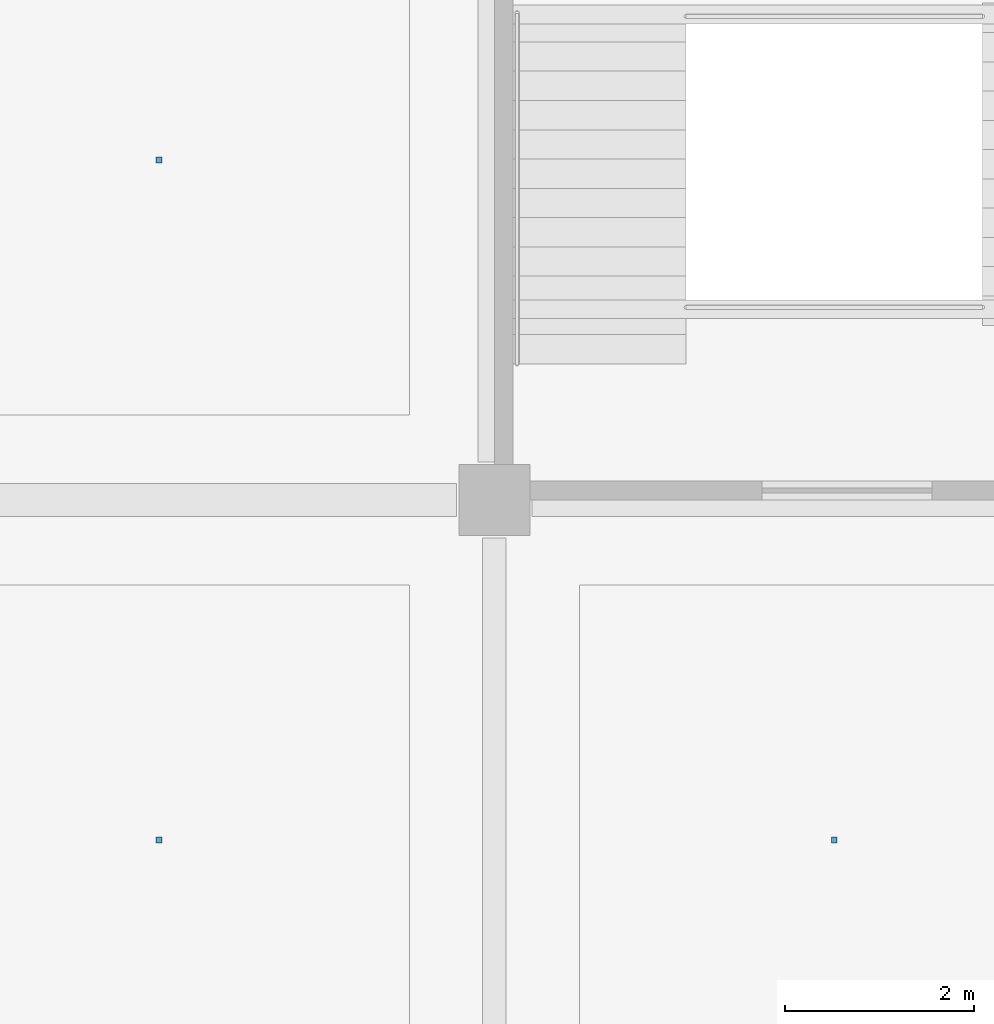
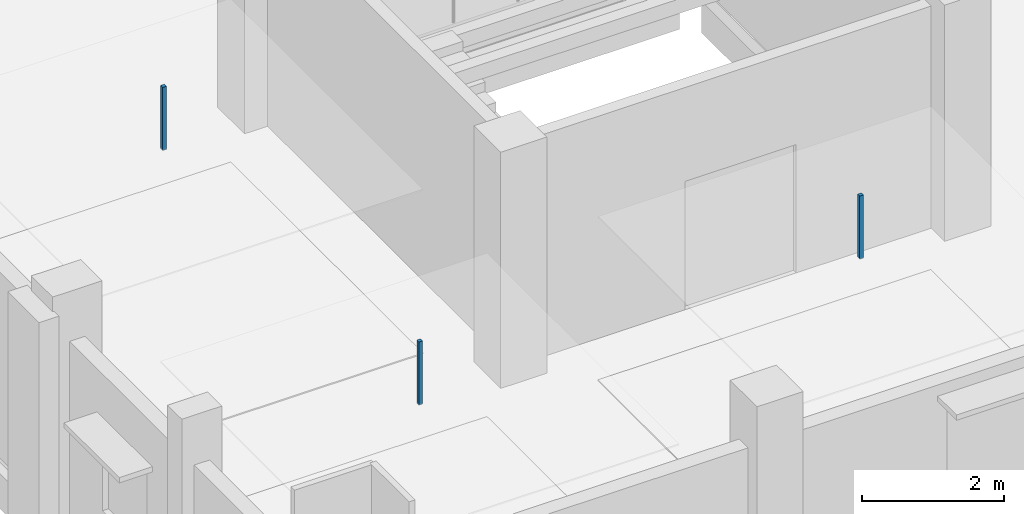
# One storey, part 75 of 91: 3 discrete accessories.
"""IFC4 building model written with IfcOpenShell, lengths in metres."""

import ifcopenshell
import ifcopenshell.guid

model = None  # the IFC model being written
_history = None  # IfcOwnerHistory: only IFC2X3 demands one
_inside = {}  # id of a spatial element -> (the spatial element, [elements in it])
_under = {}  # id of a project, library or spatial element -> (it, [spatial elements below it])
_declared = {}  # id of a project -> (the project, [libraries it declares])
_typed = {}  # id of a type object -> (the type object, [elements of that type])
_made_of = {}  # id of a material, layer set ... -> (it, [elements and type objects made of it])


def new_model(schema):
    """Start an empty IFC model of exactly this schema.

    Asked for "IFC4X3", IfcOpenShell would pick the latest addendum, in which some entities
    have other attributes; the version numbers below select the first issue.
    IFC2X3 requires an IfcOwnerHistory on every rooted entity: one is made here for all.
    """
    global model, _history
    if schema == "IFC4X3":
        model = ifcopenshell.file(schema_version=(4, 3, 0, 0))
    else:
        model = ifcopenshell.file(schema=schema)
    _inside.clear()
    _under.clear()
    _declared.clear()
    _typed.clear()
    _made_of.clear()
    _history = None
    if model.schema == "IFC2X3":
        org = make("IfcOrganization", Name="unknown")
        user = make(
            "IfcPersonAndOrganization",
            ThePerson=make("IfcPerson", FamilyName="unknown"),
            TheOrganization=org,
        )
        app = make(
            "IfcApplication",
            ApplicationDeveloper=org,
            Version="unknown",
            ApplicationFullName="unknown",
            ApplicationIdentifier="unknown",
        )
        _history = make(
            "IfcOwnerHistory",
            OwningUser=user,
            OwningApplication=app,
            ChangeAction="ADDED",
            CreationDate=0,
        )
    return model


def make(cls, **values):
    """One entity of the class cls with the attributes given. An attribute that is None is left unset."""
    return model.create_entity(
        cls, **{name: value for name, value in values.items() if value is not None}
    )


def rooted(cls, **values):
    """An entity with a GlobalId (a new one), such as an element, a storey or a relation."""
    return make(cls, GlobalId=ifcopenshell.guid.new(), OwnerHistory=_history, **values)


def si_unit(unit_type, name, prefix=None):
    """IfcSIUnit, for example si_unit("LENGTHUNIT", "METRE", prefix="MILLI")."""
    return make("IfcSIUnit", UnitType=unit_type, Prefix=prefix, Name=name)


def assignment(units):
    """IfcUnitAssignment: the units of a project."""
    return None if units is None else make("IfcUnitAssignment", Units=units)


def point(xyz):
    """IfcCartesianPoint."""
    return None if xyz is None else make("IfcCartesianPoint", Coordinates=xyz)


def direction(xyz):
    """IfcDirection."""
    return None if xyz is None else make("IfcDirection", DirectionRatios=xyz)


def frame(location, z_axis=None, x_axis=None):
    """IfcAxis2Placement3D, a coordinate frame: its origin and axes. An axis left out is left unset."""
    return make(
        "IfcAxis2Placement3D",
        Location=point(location),
        Axis=direction(z_axis),
        RefDirection=direction(x_axis),
    )


def frame_2d(location, x_axis=None):
    """IfcAxis2Placement2D, a coordinate frame in the plane: its origin and x axis."""
    return make(
        "IfcAxis2Placement2D", Location=point(location), RefDirection=direction(x_axis)
    )


def origin():
    """The frame at (0, 0, 0) with its axes left unset."""
    return frame((0.0, 0.0, 0.0))


def origin_2d():
    """The frame at (0, 0) in the plane with its x axis left unset."""
    return frame_2d((0.0, 0.0))


def place(relative_to, where):
    """IfcLocalPlacement: puts the frame where relative to a parent placement (None: the world)."""
    return make(
        "IfcLocalPlacement", PlacementRelTo=relative_to, RelativePlacement=where
    )


def context(
    kind, dimensions, precision=None, world=None, true_north=None, identifier=None
):
    """IfcGeometricRepresentationContext, for example the 3D "Model" context."""
    return make(
        "IfcGeometricRepresentationContext",
        ContextIdentifier=identifier,
        ContextType=kind,
        CoordinateSpaceDimension=dimensions,
        Precision=precision,
        WorldCoordinateSystem=world,
        TrueNorth=true_north,
    )


def subcontext(parent, identifier, kind, view, scale=None):
    """IfcGeometricRepresentationSubContext, for example "Body" below "Model"."""
    return make(
        "IfcGeometricRepresentationSubContext",
        ContextIdentifier=identifier,
        ContextType=kind,
        ParentContext=parent,
        TargetScale=scale,
        TargetView=view,
    )


def project(units=None, contexts=None):
    """IfcProject with its units and contexts."""
    return rooted(
        "IfcProject",
        Name="project",
        RepresentationContexts=contexts,
        UnitsInContext=assignment(units),
    )


def spatial(cls, under=None, at=None, **own):
    """A site, building, storey or space (cls), placed at a placement, below another one or the project."""
    s = rooted(cls, ObjectPlacement=at, **own)
    if under is not None:
        _under.setdefault(under.id(), (under, []))[1].append(s)
    return s


def profile(cls, at=None, kind="AREA", **sizes):
    """A parametric profile (cls). Its sizes go by their IFC names, for example OverallWidth=200.0."""
    return make(cls, ProfileType=kind, Position=at, **sizes)


def rectangle(**sizes):
    """IfcRectangleProfileDef."""
    return profile("IfcRectangleProfileDef", **sizes)


def extrude(swept, where, along, depth):
    """IfcExtrudedAreaSolid: the profile swept, set in the frame where, extruded along a direction by depth."""
    return make(
        "IfcExtrudedAreaSolid",
        SweptArea=swept,
        Position=where,
        ExtrudedDirection=direction(along),
        Depth=depth,
    )


def shape(context_of_items, identifier, shape_type, items):
    """IfcShapeRepresentation: the items that make up one representation, for example the "Body"."""
    return make(
        "IfcShapeRepresentation",
        ContextOfItems=context_of_items,
        RepresentationIdentifier=identifier,
        RepresentationType=shape_type,
        Items=items,
    )


def material(Name=None, Category=None):
    """IfcMaterial."""
    return make("IfcMaterial", Name=Name, Category=Category)


def made_of(thing, what):
    """Note that an element or type object is made of a material, layer set ...; save() writes the relation."""
    if what is not None:
        _made_of.setdefault(what.id(), (what, []))[1].append(thing)
    return thing


def type_object(cls, material=None, **own):
    """A type object (cls), such as IfcWallType, which elements share."""
    return made_of(rooted(cls, **own), material)


def element(
    cls,
    number,
    at=None,
    inside=None,
    cuts=None,
    type_object=None,
    material=None,
    context=None,
    identifier="Body",
    shape_type=None,
    held_by="IfcProductDefinitionShape",
    body=None,
    shapes=None,
    **own,
):
    """One element of the class cls, such as IfcWall. Its Tag is "e" and its number.

    at: its placement. inside: the storey or other place that contains it. cuts: it is an
    opening in that element (IfcRelVoidsElement). A single representation is given by context,
    identifier, shape_type and body (its items); several are given by shapes. held_by: the class
    of the entity that holds the representations. save() writes the other relations.
    """
    e = rooted(cls, Tag="e%d" % number, ObjectPlacement=at, **own)
    if body is not None:
        shapes = [shape(context, identifier, shape_type, body)]
    if shapes is not None:
        e.Representation = make(held_by, Representations=shapes)
    if inside is not None:
        _inside.setdefault(inside.id(), (inside, []))[1].append(e)
    if cuts is not None:
        rooted(
            "IfcRelVoidsElement", RelatingBuildingElement=cuts, RelatedOpeningElement=e
        )
    if type_object is not None:
        _typed.setdefault(type_object.id(), (type_object, []))[1].append(e)
    return made_of(e, material)


def aggregate(whole, parts):
    """IfcRelAggregates: a whole, such as a stair, and the parts it consists of."""
    return rooted("IfcRelAggregates", RelatingObject=whole, RelatedObjects=parts)


def save(model, path):
    """Write the relations noted so far, then the file.

    IfcRelAggregates (storeys below a building ...), IfcRelContainedInSpatialStructure (elements
    in a storey), IfcRelDefinesByType, IfcRelAssociatesMaterial and IfcRelDeclares: one each for
    every whole, place, type object, material and project.
    """
    for whole, parts in _under.values():
        aggregate(whole, parts)
    for where, things in _inside.values():
        rooted(
            "IfcRelContainedInSpatialStructure",
            RelatedElements=things,
            RelatingStructure=where,
        )
    for kind, things in _typed.values():
        rooted("IfcRelDefinesByType", RelatedObjects=things, RelatingType=kind)
    for what, things in _made_of.values():
        rooted("IfcRelAssociatesMaterial", RelatedObjects=things, RelatingMaterial=what)
    for by, libraries in _declared.values():
        rooted("IfcRelDeclares", RelatingContext=by, RelatedDefinitions=libraries)
    model.write(path)


model = new_model("IFC4")

# Units and contexts
model_context = context("Model", 3, precision=1e-05, world=origin(), true_north=direction((0.0, 1.0)))
body_context = subcontext(model_context, "Body", "Model", "MODEL_VIEW")
ifc_project = project(units=[si_unit("LENGTHUNIT", "METRE"), si_unit("AREAUNIT", "SQUARE_METRE"), si_unit("VOLUMEUNIT", "CUBIC_METRE"), si_unit("PLANEANGLEUNIT", "RADIAN"), si_unit("MASSUNIT", "GRAM", prefix="KILO")], contexts=[model_context])

# Site, building, storey
site_placement = place(None, origin())
site = spatial("IfcSite", under=ifc_project, at=site_placement, CompositionType="ELEMENT")
building_placement = place(site_placement, origin())
building = spatial("IfcBuilding", under=site, at=building_placement, Name="Kangsadwip Square Police Headquarters", CompositionType="ELEMENT")
storey_placement = place(building_placement, frame((0.0, 0.0, 13.5)))
storey = spatial("IfcBuildingStorey", under=building, at=storey_placement, Name="L03", CompositionType="ELEMENT", Elevation=13.5)

# Discrete accessories
ifc_material = material(Name="Structural steel IS 2062 E350 (Grade 350, 350 MPa)", Category="steel")
discrete_accessory_type = type_object("IfcDiscreteAccessoryType", Name="VeilOutriggerBracket", PredefinedType="BRACKET", material=ifc_material)
for number, where, z_axis, x_axis, name in (
    (1, (3.64990234375, 39.60009765625, 2.81005859375), (0.0, 0.0, 1.0), (1.0, 0.0, 0.0), "Ceiling Suspension Hanger L03-096"),
    (2, (10.800048828125, 39.60009765625, 2.81005859375), (0.0, 0.0, 1.0), (1.0, 0.0, 0.0), "Ceiling Suspension Hanger L03-097"),
    (3, (3.64990234375, 46.800048828125, 2.81005859375), (0.0, 0.0, 1.0), (1.0, 0.0, 0.0), "Ceiling Suspension Hanger L03-098"),
):
    element("IfcDiscreteAccessory", number, at=place(storey_placement, frame(where, z_axis=z_axis, x_axis=x_axis)), inside=storey, type_object=discrete_accessory_type, Name=name, PredefinedType="BRACKET", context=body_context, shape_type="SweptSolid", body=[
        extrude(rectangle(XDim=0.06005859375, YDim=0.06005859375, at=origin_2d()), origin(), (0.0, 0.0, 1.0), 1.080078125),
    ])

save(model, "model.ifc")
